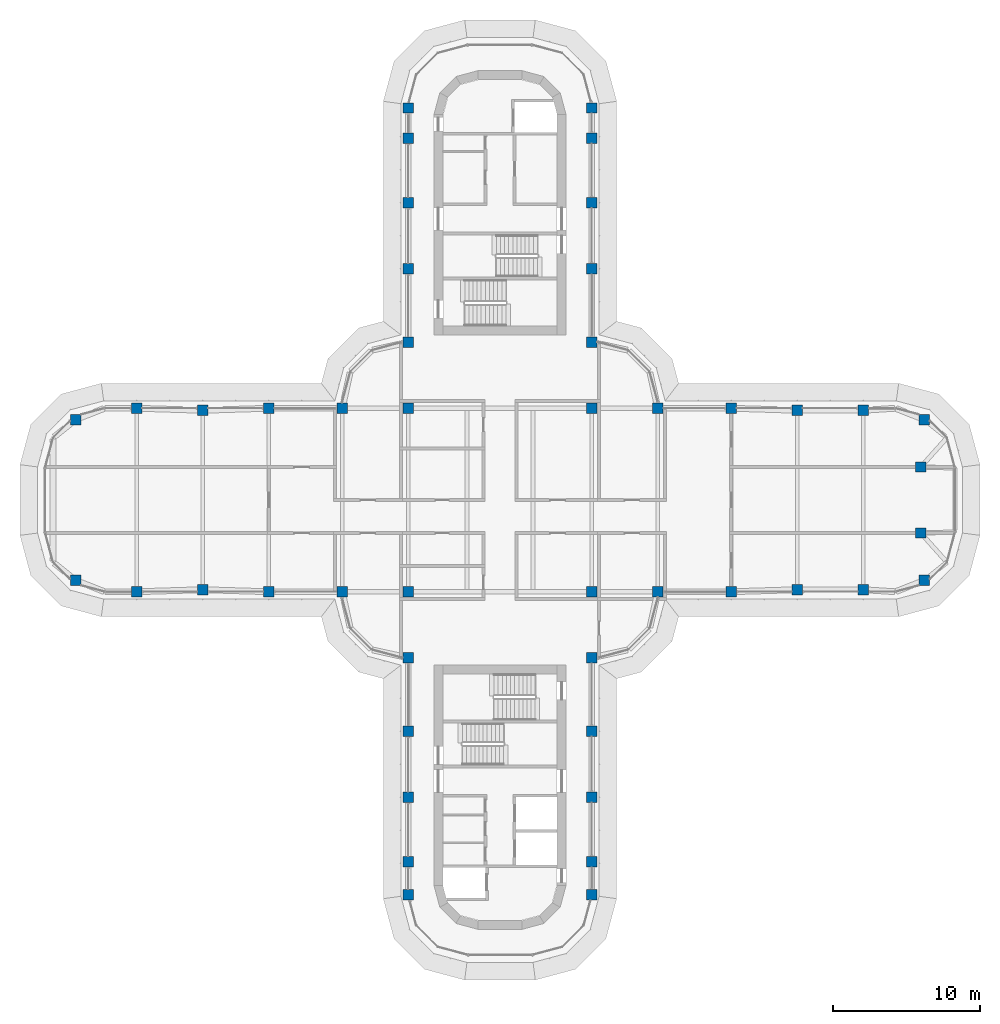
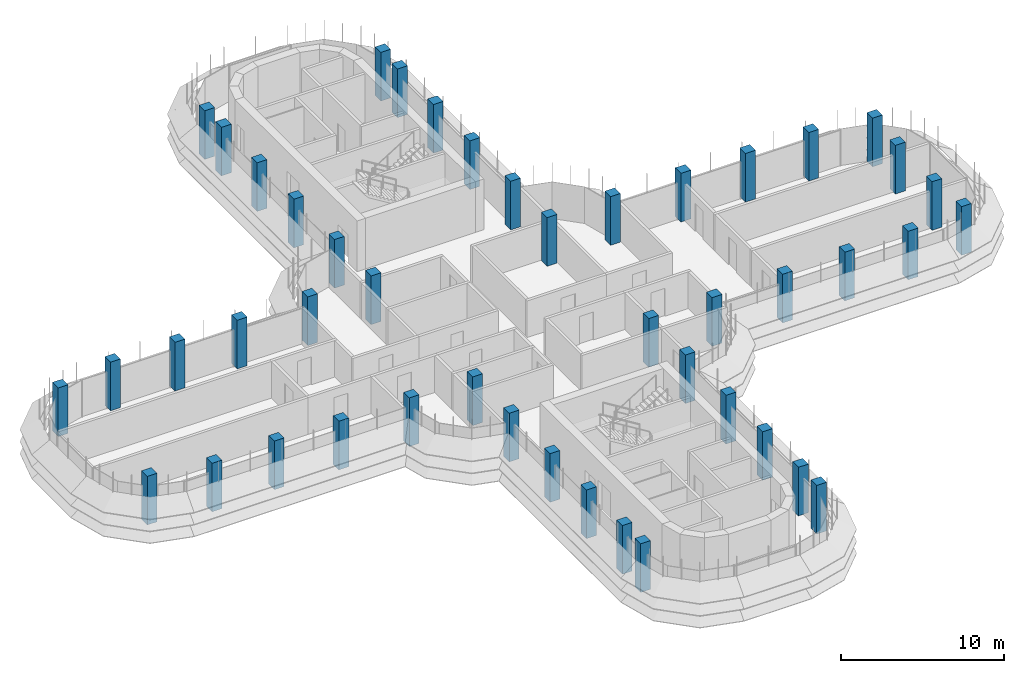
# One storey, part 1 of 19: 46 columns.
"""IFC4 building model written with IfcOpenShell, lengths in metres."""

import ifcopenshell
import ifcopenshell.guid

model = None  # the IFC model being written
_history = None  # IfcOwnerHistory: only IFC2X3 demands one
_inside = {}  # id of a spatial element -> (the spatial element, [elements in it])
_under = {}  # id of a project, library or spatial element -> (it, [spatial elements below it])
_declared = {}  # id of a project -> (the project, [libraries it declares])
_typed = {}  # id of a type object -> (the type object, [elements of that type])
_made_of = {}  # id of a material, layer set ... -> (it, [elements and type objects made of it])


def new_model(schema):
    """Start an empty IFC model of exactly this schema.

    Asked for "IFC4X3", IfcOpenShell would pick the latest addendum, in which some entities
    have other attributes; the version numbers below select the first issue.
    IFC2X3 requires an IfcOwnerHistory on every rooted entity: one is made here for all.
    """
    global model, _history
    if schema == "IFC4X3":
        model = ifcopenshell.file(schema_version=(4, 3, 0, 0))
    else:
        model = ifcopenshell.file(schema=schema)
    _inside.clear()
    _under.clear()
    _declared.clear()
    _typed.clear()
    _made_of.clear()
    _history = None
    if model.schema == "IFC2X3":
        org = make("IfcOrganization", Name="unknown")
        user = make(
            "IfcPersonAndOrganization",
            ThePerson=make("IfcPerson", FamilyName="unknown"),
            TheOrganization=org,
        )
        app = make(
            "IfcApplication",
            ApplicationDeveloper=org,
            Version="unknown",
            ApplicationFullName="unknown",
            ApplicationIdentifier="unknown",
        )
        _history = make(
            "IfcOwnerHistory",
            OwningUser=user,
            OwningApplication=app,
            ChangeAction="ADDED",
            CreationDate=0,
        )
    return model


def make(cls, **values):
    """One entity of the class cls with the attributes given. An attribute that is None is left unset."""
    return model.create_entity(
        cls, **{name: value for name, value in values.items() if value is not None}
    )


def rooted(cls, **values):
    """An entity with a GlobalId (a new one), such as an element, a storey or a relation."""
    return make(cls, GlobalId=ifcopenshell.guid.new(), OwnerHistory=_history, **values)


def si_unit(unit_type, name, prefix=None):
    """IfcSIUnit, for example si_unit("LENGTHUNIT", "METRE", prefix="MILLI")."""
    return make("IfcSIUnit", UnitType=unit_type, Prefix=prefix, Name=name)


def assignment(units):
    """IfcUnitAssignment: the units of a project."""
    return None if units is None else make("IfcUnitAssignment", Units=units)


def point(xyz):
    """IfcCartesianPoint."""
    return None if xyz is None else make("IfcCartesianPoint", Coordinates=xyz)


def direction(xyz):
    """IfcDirection."""
    return None if xyz is None else make("IfcDirection", DirectionRatios=xyz)


def frame(location, z_axis=None, x_axis=None):
    """IfcAxis2Placement3D, a coordinate frame: its origin and axes. An axis left out is left unset."""
    return make(
        "IfcAxis2Placement3D",
        Location=point(location),
        Axis=direction(z_axis),
        RefDirection=direction(x_axis),
    )


def frame_2d(location, x_axis=None):
    """IfcAxis2Placement2D, a coordinate frame in the plane: its origin and x axis."""
    return make(
        "IfcAxis2Placement2D", Location=point(location), RefDirection=direction(x_axis)
    )


def origin():
    """The frame at (0, 0, 0) with its axes left unset."""
    return frame((0.0, 0.0, 0.0))


def origin_2d():
    """The frame at (0, 0) in the plane with its x axis left unset."""
    return frame_2d((0.0, 0.0))


def place(relative_to, where):
    """IfcLocalPlacement: puts the frame where relative to a parent placement (None: the world)."""
    return make(
        "IfcLocalPlacement", PlacementRelTo=relative_to, RelativePlacement=where
    )


def context(
    kind, dimensions, precision=None, world=None, true_north=None, identifier=None
):
    """IfcGeometricRepresentationContext, for example the 3D "Model" context."""
    return make(
        "IfcGeometricRepresentationContext",
        ContextIdentifier=identifier,
        ContextType=kind,
        CoordinateSpaceDimension=dimensions,
        Precision=precision,
        WorldCoordinateSystem=world,
        TrueNorth=true_north,
    )


def subcontext(parent, identifier, kind, view, scale=None):
    """IfcGeometricRepresentationSubContext, for example "Body" below "Model"."""
    return make(
        "IfcGeometricRepresentationSubContext",
        ContextIdentifier=identifier,
        ContextType=kind,
        ParentContext=parent,
        TargetScale=scale,
        TargetView=view,
    )


def project(units=None, contexts=None):
    """IfcProject with its units and contexts."""
    return rooted(
        "IfcProject",
        Name="project",
        RepresentationContexts=contexts,
        UnitsInContext=assignment(units),
    )


def spatial(cls, under=None, at=None, **own):
    """A site, building, storey or space (cls), placed at a placement, below another one or the project."""
    s = rooted(cls, ObjectPlacement=at, **own)
    if under is not None:
        _under.setdefault(under.id(), (under, []))[1].append(s)
    return s


def profile(cls, at=None, kind="AREA", **sizes):
    """A parametric profile (cls). Its sizes go by their IFC names, for example OverallWidth=200.0."""
    return make(cls, ProfileType=kind, Position=at, **sizes)


def rectangle(**sizes):
    """IfcRectangleProfileDef."""
    return profile("IfcRectangleProfileDef", **sizes)


def extrude(swept, where, along, depth):
    """IfcExtrudedAreaSolid: the profile swept, set in the frame where, extruded along a direction by depth."""
    return make(
        "IfcExtrudedAreaSolid",
        SweptArea=swept,
        Position=where,
        ExtrudedDirection=direction(along),
        Depth=depth,
    )


def shape(context_of_items, identifier, shape_type, items):
    """IfcShapeRepresentation: the items that make up one representation, for example the "Body"."""
    return make(
        "IfcShapeRepresentation",
        ContextOfItems=context_of_items,
        RepresentationIdentifier=identifier,
        RepresentationType=shape_type,
        Items=items,
    )


def material(Name=None, Category=None):
    """IfcMaterial."""
    return make("IfcMaterial", Name=Name, Category=Category)


def material_profile(
    of_material, cross_section, Name=None, Category=None, Priority=None
):
    """IfcMaterialProfile: a cross section and its material."""
    return make(
        "IfcMaterialProfile",
        Name=Name,
        Material=of_material,
        Profile=cross_section,
        Priority=Priority,
        Category=Category,
    )


def profile_set(profiles, Name=None, composite=None):
    """IfcMaterialProfileSet."""
    return make(
        "IfcMaterialProfileSet",
        Name=Name,
        MaterialProfiles=profiles,
        CompositeProfile=composite,
    )


def made_of(thing, what):
    """Note that an element or type object is made of a material, layer set ...; save() writes the relation."""
    if what is not None:
        _made_of.setdefault(what.id(), (what, []))[1].append(thing)
    return thing


def type_object(cls, material=None, **own):
    """A type object (cls), such as IfcWallType, which elements share."""
    return made_of(rooted(cls, **own), material)


def element(
    cls,
    number,
    at=None,
    inside=None,
    cuts=None,
    type_object=None,
    material=None,
    context=None,
    identifier="Body",
    shape_type=None,
    held_by="IfcProductDefinitionShape",
    body=None,
    shapes=None,
    **own,
):
    """One element of the class cls, such as IfcWall. Its Tag is "e" and its number.

    at: its placement. inside: the storey or other place that contains it. cuts: it is an
    opening in that element (IfcRelVoidsElement). A single representation is given by context,
    identifier, shape_type and body (its items); several are given by shapes. held_by: the class
    of the entity that holds the representations. save() writes the other relations.
    """
    e = rooted(cls, Tag="e%d" % number, ObjectPlacement=at, **own)
    if body is not None:
        shapes = [shape(context, identifier, shape_type, body)]
    if shapes is not None:
        e.Representation = make(held_by, Representations=shapes)
    if inside is not None:
        _inside.setdefault(inside.id(), (inside, []))[1].append(e)
    if cuts is not None:
        rooted(
            "IfcRelVoidsElement", RelatingBuildingElement=cuts, RelatedOpeningElement=e
        )
    if type_object is not None:
        _typed.setdefault(type_object.id(), (type_object, []))[1].append(e)
    return made_of(e, material)


def aggregate(whole, parts):
    """IfcRelAggregates: a whole, such as a stair, and the parts it consists of."""
    return rooted("IfcRelAggregates", RelatingObject=whole, RelatedObjects=parts)


def save(model, path):
    """Write the relations noted so far, then the file.

    IfcRelAggregates (storeys below a building ...), IfcRelContainedInSpatialStructure (elements
    in a storey), IfcRelDefinesByType, IfcRelAssociatesMaterial and IfcRelDeclares: one each for
    every whole, place, type object, material and project.
    """
    for whole, parts in _under.values():
        aggregate(whole, parts)
    for where, things in _inside.values():
        rooted(
            "IfcRelContainedInSpatialStructure",
            RelatedElements=things,
            RelatingStructure=where,
        )
    for kind, things in _typed.values():
        rooted("IfcRelDefinesByType", RelatedObjects=things, RelatingType=kind)
    for what, things in _made_of.values():
        rooted("IfcRelAssociatesMaterial", RelatedObjects=things, RelatingMaterial=what)
    for by, libraries in _declared.values():
        rooted("IfcRelDeclares", RelatingContext=by, RelatedDefinitions=libraries)
    model.write(path)


model = new_model("IFC4")

# Units and contexts
model_context = context("Model", 3, precision=1e-05, world=origin(), true_north=direction((0.0, 1.0)))
body_context = subcontext(model_context, "Body", "Model", "MODEL_VIEW")
ifc_project = project(units=[si_unit("LENGTHUNIT", "METRE"), si_unit("AREAUNIT", "SQUARE_METRE"), si_unit("VOLUMEUNIT", "CUBIC_METRE"), si_unit("PLANEANGLEUNIT", "RADIAN"), si_unit("MASSUNIT", "GRAM", prefix="KILO")], contexts=[model_context])

# Site, building, storey
site_placement = place(None, origin())
site = spatial("IfcSite", under=ifc_project, at=site_placement, CompositionType="ELEMENT")
building_placement = place(site_placement, origin())
building = spatial("IfcBuilding", under=site, at=building_placement, Name="Zarbagh Exchange Tower", CompositionType="ELEMENT")
storey_placement = place(building_placement, frame((0.0, 0.0, 195.39990234375)))
storey = spatial("IfcBuildingStorey", under=building, at=storey_placement, Name="L47", CompositionType="ELEMENT", Elevation=195.39990234375)

# Columns
ifc_material = material(Name="Concrete C50/60", Category="concrete")
ifc_material_profile = material_profile(ifc_material, rectangle(XDim=0.699951171875, YDim=0.699951171875, at=origin_2d()), Name="RC column 700 x 700 C50/60")
ifc_profile_set = profile_set([ifc_material_profile], Name="Concrete C50/60")
column_type = type_object("IfcColumnType", Name="RC column 700 x 700 C50/60", PredefinedType="COLUMN", material=ifc_profile_set)
for number, where, z_axis, x_axis, name in (
    (1, (-28.907958984375, -5.47509765625, 0.0), (0.0, 0.0, 1.0), (1.0, 0.0, 0.0), "C5 11/R"),
    (2, (-28.907958984375, 5.47509765625, 0.0), (0.0, 0.0, 1.0), (1.0, 0.0, 0.0), "C5 11/U"),
    (3, (-24.75, -6.25, 0.0), (0.0, 0.0, 1.0), (1.0, 0.0, 0.0), "C5 12/R"),
    (4, (-24.75, 6.25, 0.0), (0.0, 0.0, 1.0), (1.0, 0.0, 0.0), "C5 12/U"),
    (5, (-20.25, -6.110107421875, 0.0), (0.0, 0.0, 1.0), (1.0, 0.0, 0.0), "C5 13/R"),
    (6, (-20.25, 6.110107421875, 0.0), (0.0, 0.0, 1.0), (1.0, 0.0, 0.0), "C5 13/U"),
    (7, (-15.75, -6.25, 0.0), (0.0, 0.0, 1.0), (1.0, 0.0, 0.0), "C5 14/R"),
    (8, (-15.75, 6.25, 0.0), (0.0, 0.0, 1.0), (1.0, 0.0, 0.0), "C5 14/U"),
    (9, (-10.75, -6.25, 0.0), (0.0, 0.0, 1.0), (1.0, 0.0, 0.0), "C5 15/R"),
    (10, (-10.75, 6.25, 0.0), (0.0, 0.0, 1.0), (1.0, 0.0, 0.0), "C5 15/U"),
    (11, (-6.25, -26.89990234375, 0.0), (0.0, 0.0, 1.0), (1.0, 0.0, 0.0), "C5 16/L"),
    (12, (-6.25, -24.64990234375, 0.0), (0.0, 0.0, 1.0), (1.0, 0.0, 0.0), "C5 16/M"),
    (13, (-6.25, -20.25, 0.0), (0.0, 0.0, 1.0), (1.0, 0.0, 0.0), "C5 16/N"),
    (14, (-6.25, -15.75, 0.0), (0.0, 0.0, 1.0), (1.0, 0.0, 0.0), "C5 16/P"),
    (15, (-6.25, -10.75, 0.0), (0.0, 0.0, 1.0), (1.0, 0.0, 0.0), "C5 16/Q"),
    (16, (-6.25, -6.25, 0.0), (0.0, 0.0, 1.0), (1.0, 0.0, 0.0), "C5 16/R"),
    (17, (-6.25, 6.25, 0.0), (0.0, 0.0, 1.0), (1.0, 0.0, 0.0), "C5 16/U"),
    (18, (-6.25, 10.75, 0.0), (0.0, 0.0, 1.0), (1.0, 0.0, 0.0), "C5 16/V"),
    (19, (-6.25, 15.75, 0.0), (0.0, 0.0, 1.0), (1.0, 0.0, 0.0), "C5 16/W"),
    (20, (-6.25, 20.25, 0.0), (0.0, 0.0, 1.0), (1.0, 0.0, 0.0), "C5 16/X"),
    (21, (-6.25, 24.64990234375, 0.0), (0.0, 0.0, 1.0), (1.0, 0.0, 0.0), "C5 16/Y"),
    (22, (-6.25, 26.699951171875, 0.0), (0.0, 0.0, 1.0), (1.0, 0.0, 0.0), "C5 16/Z"),
    (23, (6.25, -26.89990234375, 0.0), (0.0, 0.0, 1.0), (1.0, 0.0, 0.0), "C5 19/L"),
    (24, (6.25, -24.64990234375, 0.0), (0.0, 0.0, 1.0), (1.0, 0.0, 0.0), "C5 19/M"),
    (25, (6.25, -20.25, 0.0), (0.0, 0.0, 1.0), (1.0, 0.0, 0.0), "C5 19/N"),
    (26, (6.25, -15.75, 0.0), (0.0, 0.0, 1.0), (1.0, 0.0, 0.0), "C5 19/P"),
    (27, (6.25, -10.75, 0.0), (0.0, 0.0, 1.0), (1.0, 0.0, 0.0), "C5 19/Q"),
    (28, (6.25, -6.25, 0.0), (0.0, 0.0, 1.0), (1.0, 0.0, 0.0), "C5 19/R"),
    (29, (6.25, 6.25, 0.0), (0.0, 0.0, 1.0), (1.0, 0.0, 0.0), "C5 19/U"),
    (30, (6.25, 10.75, 0.0), (0.0, 0.0, 1.0), (1.0, 0.0, 0.0), "C5 19/V"),
    (31, (6.25, 15.75, 0.0), (0.0, 0.0, 1.0), (1.0, 0.0, 0.0), "C5 19/W"),
    (32, (6.25, 20.25, 0.0), (0.0, 0.0, 1.0), (1.0, 0.0, 0.0), "C5 19/X"),
    (33, (6.25, 24.64990234375, 0.0), (0.0, 0.0, 1.0), (1.0, 0.0, 0.0), "C5 19/Y"),
    (34, (6.25, 26.699951171875, 0.0), (0.0, 0.0, 1.0), (1.0, 0.0, 0.0), "C5 19/Z"),
    (35, (10.75, -6.25, 0.0), (0.0, 0.0, 1.0), (1.0, 0.0, 0.0), "C5 20/R"),
    (36, (10.75, 6.25, 0.0), (0.0, 0.0, 1.0), (1.0, 0.0, 0.0), "C5 20/U"),
    (37, (15.75, -6.25, 0.0), (0.0, 0.0, 1.0), (1.0, 0.0, 0.0), "C5 21/R"),
    (38, (15.75, 6.25, 0.0), (0.0, 0.0, 1.0), (1.0, 0.0, 0.0), "C5 21/U"),
    (39, (20.25, -6.110107421875, 0.0), (0.0, 0.0, 1.0), (1.0, 0.0, 0.0), "C5 22/R"),
    (40, (20.25, 6.110107421875, 0.0), (0.0, 0.0, 1.0), (1.0, 0.0, 0.0), "C5 22/U"),
    (41, (24.75, -6.110107421875, 0.0), (0.0, 0.0, 1.0), (1.0, 0.0, 0.0), "C5 23/R"),
    (42, (24.75, 6.110107421875, 0.0), (0.0, 0.0, 1.0), (1.0, 0.0, 0.0), "C5 23/U"),
    (43, (28.907958984375, -5.47509765625, 0.0), (0.0, 0.0, 1.0), (1.0, 0.0, 0.0), "C5 24/R"),
    (44, (28.669921875, -2.25, 0.0), (0.0, 0.0, 1.0), (1.0, 0.0, 0.0), "C5 24/S"),
    (45, (28.669921875, 2.25, 0.0), (0.0, 0.0, 1.0), (1.0, 0.0, 0.0), "C5 24/T"),
    (46, (28.907958984375, 5.47509765625, 0.0), (0.0, 0.0, 1.0), (1.0, 0.0, 0.0), "C5 24/U"),
):
    element("IfcColumn", number, at=place(storey_placement, frame(where, z_axis=z_axis, x_axis=x_axis)), inside=storey, type_object=column_type, Name=name, PredefinedType="COLUMN", context=body_context, shape_type="SweptSolid", body=[
        extrude(rectangle(XDim=0.699951171875, YDim=0.699951171875, at=origin_2d()), origin(), (0.0, 0.0, 1.0), 3.650146484375),
    ])

save(model, "model.ifc")
